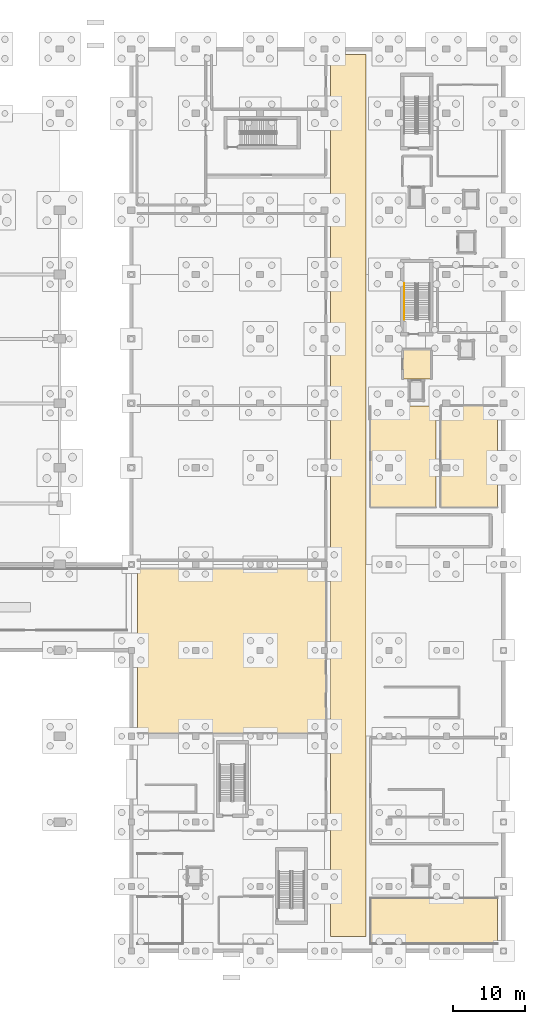
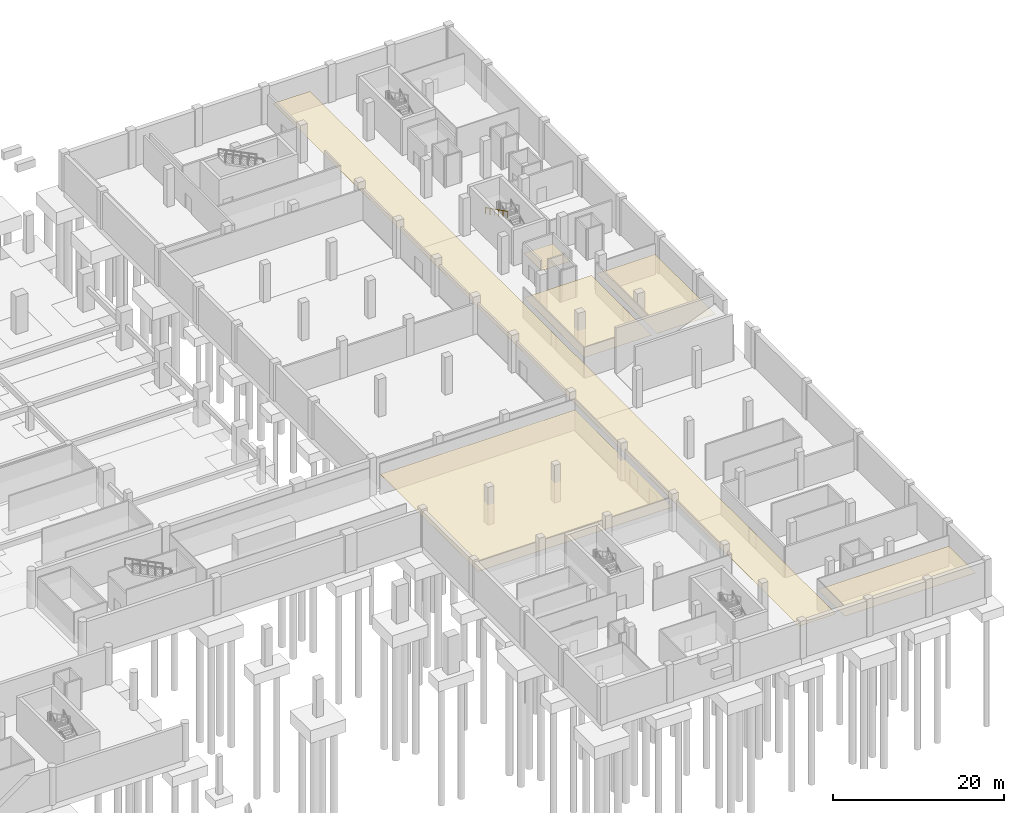
# One storey, part 23 of 26: 6 coverings, 1 railing.
"""IFC4 building model written with IfcOpenShell, lengths in metres."""

from ifc_helpers import new_model, si_unit, direction, frame, origin, origin_2d, place, context, subcontext, project, spatial, polyline, circle, outline, extrude, material, layer, layer_set, type_object, element, save


model = new_model("IFC4")

# Units and contexts
model_context = context("Model", 3, precision=1e-05, world=origin(), true_north=direction((0.0, 1.0)))
body_context = subcontext(model_context, "Body", "Model", "MODEL_VIEW")
ifc_project = project(units=[si_unit("LENGTHUNIT", "METRE"), si_unit("AREAUNIT", "SQUARE_METRE"), si_unit("VOLUMEUNIT", "CUBIC_METRE"), si_unit("PLANEANGLEUNIT", "RADIAN"), si_unit("MASSUNIT", "GRAM", prefix="KILO")], contexts=[model_context])

# Site, building, storey
site_placement = place(None, origin())
site = spatial("IfcSite", under=ifc_project, at=site_placement, CompositionType="ELEMENT")
building_placement = place(site_placement, origin())
building = spatial("IfcBuilding", under=site, at=building_placement, Name="Chuanluo Vaults Station", CompositionType="ELEMENT")
storey_placement = place(building_placement, frame((0.0, 0.0, -5.39990234375)))
storey = spatial("IfcBuildingStorey", under=building, at=storey_placement, Name="B1", CompositionType="ELEMENT", Elevation=-5.39990234375)

# Coverings
ifc_material_1 = material(Name="Acoustic mineral-fibre tile")
ifc_layer = layer(ifc_material_1, 0.02490234375)
ifc_layer_set = layer_set([ifc_layer], Name="Acoustic mineral-fibre tile")
covering_type = type_object("IfcCoveringType", Name="COV-CEIL-TILE", PredefinedType="CEILING", material=ifc_layer_set)
covering_1_placement = place(storey_placement, frame((0.0, 0.0, 2.849853515625)))
element("IfcCovering", 1, at=covering_1_placement, inside=storey, type_object=covering_type, Name="B1-05 suspended acoustic ceiling", PredefinedType="CEILING", context=body_context, shape_type="SweptSolid", body=[
    extrude(outline(polyline([(163.800048828125, 2.0), (168.800048828125, 2.0), (168.800048828125, 125.199951171875), (163.800048828125, 125.199951171875), (163.800048828125, 2.0)])), origin(), (0.0, 0.0, 1.0), 0.025146484375),
])
covering_2_placement = place(storey_placement, frame((0.0, 0.0, 2.849853515625)))
element("IfcCovering", 2, at=covering_2_placement, inside=storey, type_object=covering_type, Name="B1-06 suspended acoustic ceiling", PredefinedType="CEILING", context=body_context, shape_type="SweptSolid", body=[
    extrude(outline(polyline([(136.840087890625, 30.43994140625), (163.159912109375, 30.43994140625), (163.159912109375, 53.360107421875), (136.840087890625, 53.360107421875), (136.840087890625, 30.43994140625)])), origin(), (0.0, 0.0, 1.0), 0.025146484375),
])
covering_3_placement = place(storey_placement, frame((0.0, 0.0, 2.849853515625)))
element("IfcCovering", 3, at=covering_3_placement, inside=storey, type_object=covering_type, Name="B1-14 suspended acoustic ceiling", PredefinedType="CEILING", context=body_context, shape_type="SweptSolid", body=[
    extrude(outline(polyline([(179.239990234375, 62.0400390625), (187.159912109375, 62.0400390625), (187.159912109375, 76.159912109375), (179.239990234375, 76.159912109375), (179.239990234375, 62.0400390625)])), origin(), (0.0, 0.0, 1.0), 0.025146484375),
])
covering_4_placement = place(storey_placement, frame((0.0, 0.0, 2.849853515625)))
element("IfcCovering", 4, at=covering_4_placement, inside=storey, type_object=covering_type, Name="B1-15 suspended acoustic ceiling", PredefinedType="CEILING", context=body_context, shape_type="SweptSolid", body=[
    extrude(outline(polyline([(169.43994140625, 62.0400390625), (178.56005859375, 62.0400390625), (178.56005859375, 76.159912109375), (169.43994140625, 76.159912109375), (169.43994140625, 62.0400390625)])), origin(), (0.0, 0.0, 1.0), 0.025146484375),
])
covering_5_placement = place(storey_placement, frame((0.0, 0.0, 2.849853515625)))
element("IfcCovering", 5, at=covering_5_placement, inside=storey, type_object=covering_type, Name="B1-18B suspended acoustic ceiling", PredefinedType="CEILING", context=body_context, shape_type="SweptSolid", body=[
    extrude(outline(polyline([(169.43994140625, 1.0400390625), (187.159912109375, 1.0400390625), (187.159912109375, 7.360107421875), (169.43994140625, 7.360107421875), (169.43994140625, 1.0400390625)])), origin(), (0.0, 0.0, 1.0), 0.025146484375),
])
covering_6_placement = place(storey_placement, frame((0.0, 0.0, 2.849853515625)))
element("IfcCovering", 6, at=covering_6_placement, inside=storey, type_object=covering_type, Name="B1-FFL-K1 suspended acoustic ceiling", PredefinedType="CEILING", context=body_context, shape_type="SweptSolid", body=[
    extrude(outline(polyline([(173.93994140625, 79.889892578125), (177.860107421875, 79.889892578125), (177.860107421875, 84.010009765625), (173.93994140625, 84.010009765625), (173.93994140625, 79.889892578125)])), origin(), (0.0, 0.0, 1.0), 0.025146484375),
])

# Railing
ifc_material_2 = material(Name="Brushed stainless steel 304", Category="steel")
railing_type = type_object("IfcRailingType", Name="RLG-HAND-900", PredefinedType="HANDRAIL", material=ifc_material_2)
railing_placement = place(storey_placement, frame((174.117431640625, 93.28759765625, 2.849853515625)))
element("IfcRailing", 7, at=railing_placement, inside=storey, type_object=railing_type, Name="B1 ST-01 stair handrail 2", PredefinedType="HANDRAIL", context=body_context, shape_type="SweptSolid", body=[
    extrude(circle(Radius=0.02392578125, at=origin_2d()), frame((0.0, 0.0, 0.8759765625), z_axis=(0.0, -0.894427191, 0.4472135955), x_axis=(1.0, 0.0, 0.0)), (0.0, 0.0, 1.0), 5.7021484375),
    extrude(circle(Radius=0.02099609375, at=origin_2d()), origin(), (0.0, 0.0, 1.0), 0.851806640625),
    extrude(circle(Radius=0.02099609375, at=origin_2d()), frame((0.0, -1.02001953125, 0.510009765625)), (0.0, 0.0, 1.0), 0.851806640625),
    extrude(circle(Radius=0.02099609375, at=origin_2d()), frame((0.0, -2.0400390625, 1.02001953125)), (0.0, 0.0, 1.0), 0.851806640625),
    extrude(circle(Radius=0.02099609375, at=origin_2d()), frame((0.0, -3.06005859375, 1.530029296875)), (0.0, 0.0, 1.0), 0.851806640625),
    extrude(circle(Radius=0.02099609375, at=origin_2d()), frame((0.0, -4.080078125, 2.0400390625)), (0.0, 0.0, 1.0), 0.851806640625),
    extrude(circle(Radius=0.02099609375, at=origin_2d()), frame((0.0, -5.10009765625, 2.550048828125)), (0.0, 0.0, 1.0), 0.851806640625),
])

save(model, "model.ifc")
